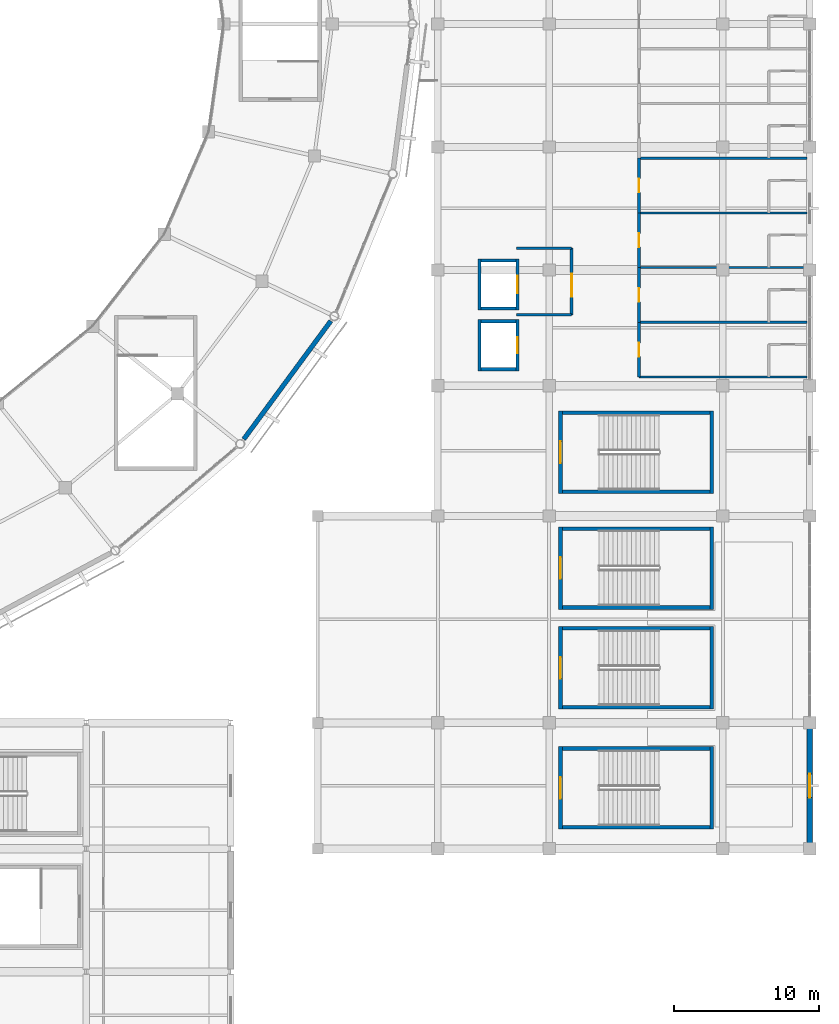
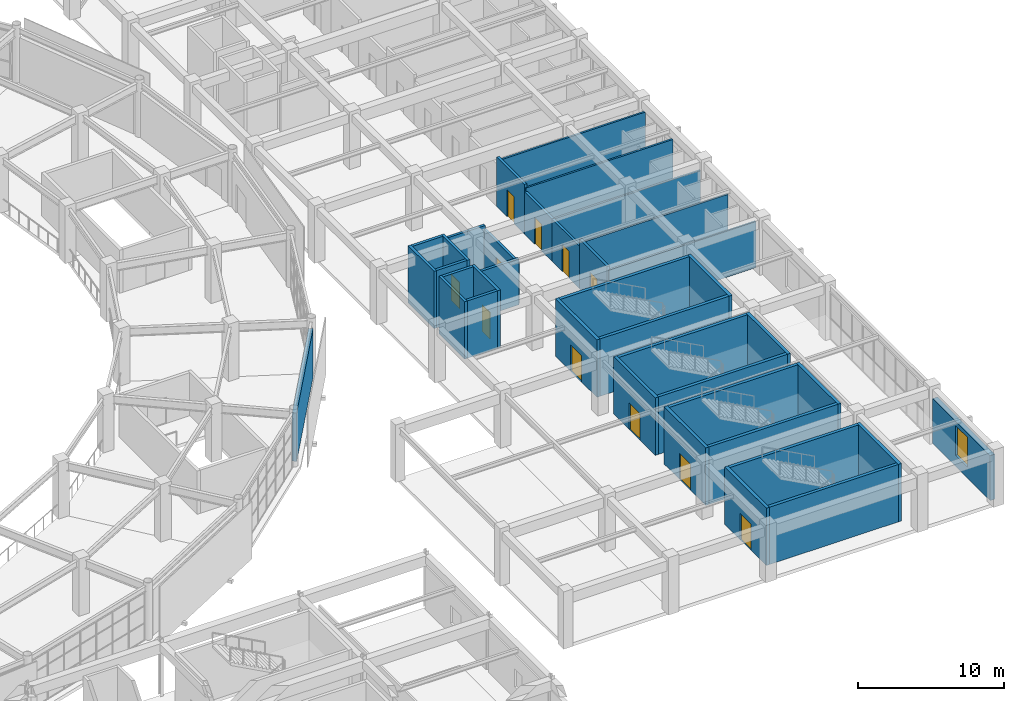
# One storey, part 87 of 112: 38 walls, 11 doors, 1 window, 12 openings.
"""IFC4 building model written with IfcOpenShell, lengths in metres."""

from ifc_helpers import new_model, si_unit, direction, frame, frame_2d, origin, place, context, subcontext, project, spatial, rectangle, extrude, material, layer, layer_set, type_object, element, fill, save


model = new_model("IFC4")

# Units and contexts
model_context = context("Model", 3, precision=1e-05, world=origin(), true_north=direction((0.0, 1.0)))
body_context = subcontext(model_context, "Body", "Model", "MODEL_VIEW")
ifc_project = project(units=[si_unit("LENGTHUNIT", "METRE"), si_unit("AREAUNIT", "SQUARE_METRE"), si_unit("VOLUMEUNIT", "CUBIC_METRE"), si_unit("PLANEANGLEUNIT", "RADIAN"), si_unit("MASSUNIT", "GRAM", prefix="KILO")], contexts=[model_context])

# Site, building, storey
site_placement = place(None, origin())
site = spatial("IfcSite", under=ifc_project, at=site_placement, CompositionType="ELEMENT")
building_placement = place(site_placement, origin())
building = spatial("IfcBuilding", under=site, at=building_placement, Name="Cuetzalor Civic Arena", CompositionType="ELEMENT")
storey_placement = place(building_placement, frame((0.0, 0.0, 11.39990234375)))
storey = spatial("IfcBuildingStorey", under=building, at=storey_placement, Name="L02", CompositionType="ELEMENT", Elevation=11.39990234375)

# Walls
ifc_material_1 = material(Name="Acoustic steel-stud gypsum partition", Category="steel")
ifc_layer_1 = layer(ifc_material_1, 0.14990234375)
ifc_layer_set_1 = layer_set([ifc_layer_1], Name="Acoustic steel-stud gypsum partition")
wall_type_1 = type_object("IfcWallType", Name="AcousticGypsumPartition_150", PredefinedType="PARTITIONING", material=ifc_layer_set_1)
for number, where, z_axis, x_axis, name in (
    (1, (70.199951171875, -24.39990234375, 0.0), (0.0, 0.0, 1.0), (1.0, 0.0, 0.0), "Interior Partition IWALL:L02:0316"),
    (2, (70.199951171875, -20.6201171875, 0.0), (0.0, 0.0, 1.0), (1.0, 0.0, 0.0), "Interior Partition IWALL:L02:0320"),
):
    element("IfcWall", number, at=place(storey_placement, frame(where, z_axis=z_axis, x_axis=x_axis)), inside=storey, type_object=wall_type_1, Name=name, PredefinedType="PARTITIONING", context=body_context, shape_type="SweptSolid", body=[
        extrude(rectangle(XDim=11.6201171875, YDim=0.14990234375, at=frame_2d((5.81005859375, 0.0))), origin(), (0.0, 0.0, 1.0), 3.84521484375),
    ])
wall_1_placement = place(storey_placement, frame((70.199951171875, -16.840087890625, 0.0), z_axis=(0.0, 0.0, 1.0), x_axis=(1.0, 0.0, 0.0)))
element("IfcWall", 3, at=wall_1_placement, inside=storey, type_object=wall_type_1, Name="Interior Partition IWALL:L02:0324", PredefinedType="PARTITIONING", context=body_context, shape_type="SweptSolid", body=[
    extrude(rectangle(XDim=11.6201171875, YDim=0.14990234375, at=frame_2d((5.81005859375, 0.0))), origin(), (0.0, 0.0, 1.0), 3.545166015625),
])
for number, where, z_axis, x_axis, name in (
    (4, (70.199951171875, -13.06005859375, 0.0), (0.0, 0.0, 1.0), (1.0, 0.0, 0.0), "Interior Partition IWALL:L02:0328"),
    (5, (70.199951171875, -9.280029296875, 0.0), (0.0, 0.0, 1.0), (1.0, 0.0, 0.0), "Interior Partition IWALL:L02:0332"),
):
    element("IfcWall", number, at=place(storey_placement, frame(where, z_axis=z_axis, x_axis=x_axis)), inside=storey, type_object=wall_type_1, Name=name, PredefinedType="PARTITIONING", context=body_context, shape_type="SweptSolid", body=[
        extrude(rectangle(XDim=11.6201171875, YDim=0.14990234375, at=frame_2d((5.81005859375, 0.0))), origin(), (0.0, 0.0, 1.0), 3.84521484375),
    ])

# Wall, opening, door
ifc_material_2 = material(Name="Concrete C40/50", Category="concrete")
ifc_layer_2 = layer(ifc_material_2, 0.25)
ifc_layer_set_2 = layer_set([ifc_layer_2], Name="Concrete C40/50")
wall_type_2 = type_object("IfcWallType", Name="ConcreteCoreShearWall_250", PredefinedType="SHEAR", material=ifc_layer_set_2)
wall_2_placement = place(storey_placement, frame((64.77490234375, -55.64990234375, 0.0), z_axis=(0.0, 0.0, 1.0), x_axis=(0.0, 1.0, 0.0)))
wall_2 = element("IfcWall", 6, at=wall_2_placement, inside=storey, type_object=wall_type_2, Name="Stair Core Shear Wall ST-18-L02-W", PredefinedType="SHEAR", context=body_context, shape_type="SweptSolid", body=[
    extrude(rectangle(XDim=5.699951171875, YDim=0.25, at=frame_2d((2.85009765625, 0.0))), origin(), (0.0, 0.0, 1.0), 4.800048828125),
])
opening_1_placement = place(wall_2_placement, frame((2.10009765625, 0.0, 0.0)))
opening_1 = element("IfcOpeningElement", 7, at=opening_1_placement, cuts=wall_2, Name="Opening FD-03", PredefinedType="OPENING", context=body_context, shape_type="SweptSolid", body=[
    extrude(rectangle(XDim=1.5, YDim=2.199951171875, at=frame_2d((0.75, 1.10009765625))), frame((0.0, 0.135009765625, 0.0), z_axis=(0.0, -1.0, 0.0), x_axis=(1.0, 0.0, 0.0)), (0.0, 0.0, 1.0), 0.27001953125),
])
ifc_material_3 = material(Name="Fire-rated steel stair exit double door", Category="steel")
door_type_1 = type_object("IfcDoorType", Name="StairFireDoubleDoor_1500x2200", OperationType="DOUBLE_DOOR_SINGLE_SWING", PredefinedType="DOOR", material=ifc_material_3)
door_1_placement = place(opening_1_placement, origin())
door_1 = element("IfcDoor", 8, at=door_1_placement, inside=storey, type_object=door_type_1, Name="Fire Stair Door ST-18 L02", OperationType="DOUBLE_DOOR_SINGLE_SWING", OverallHeight=2.199951171875, OverallWidth=1.5, PredefinedType="DOOR", context=body_context, shape_type="SweptSolid", body=[
    extrude(rectangle(XDim=1.5, YDim=2.199951171875, at=frame_2d((0.75, 1.10009765625))), frame((0.0, 0.02490234375, 0.0), z_axis=(0.0, -1.0, 0.0), x_axis=(1.0, 0.0, 0.0)), (0.0, 0.0, 1.0), 0.050048828125),
])
fill(opening_1, door_1)

# Walls
wall_3_placement = place(storey_placement, frame((64.89990234375, -50.074951171875, 0.0), z_axis=(0.0, 0.0, 1.0), x_axis=(1.0, 0.0, 0.0)))
element("IfcWall", 9, at=wall_3_placement, inside=storey, type_object=wall_type_2, Name="Stair Core Shear Wall ST-18-L02-N", PredefinedType="SHEAR", context=body_context, shape_type="SweptSolid", body=[
    extrude(rectangle(XDim=10.2001953125, YDim=0.25, at=frame_2d((5.10009765625, 0.0))), origin(), (0.0, 0.0, 1.0), 4.800048828125),
])
wall_4_placement = place(storey_placement, frame((75.22509765625, -49.949951171875, 0.0), z_axis=(0.0, 0.0, 1.0), x_axis=(0.0, -1.0, 0.0)))
element("IfcWall", 10, at=wall_4_placement, inside=storey, type_object=wall_type_2, Name="Stair Core Shear Wall ST-18-L02-E", PredefinedType="SHEAR", context=body_context, shape_type="SweptSolid", body=[
    extrude(rectangle(XDim=5.699951171875, YDim=0.25, at=frame_2d((2.85009765625, 0.0))), origin(), (0.0, 0.0, 1.0), 4.800048828125),
])
wall_5_placement = place(storey_placement, frame((75.10009765625, -55.52490234375, 0.0), z_axis=(0.0, 0.0, 1.0), x_axis=(-1.0, 0.0, 0.0)))
element("IfcWall", 11, at=wall_5_placement, inside=storey, type_object=wall_type_2, Name="Stair Core Shear Wall ST-18-L02-S", PredefinedType="SHEAR", context=body_context, shape_type="SweptSolid", body=[
    extrude(rectangle(XDim=10.2001953125, YDim=0.25, at=frame_2d((5.10009765625, 0.0))), origin(), (0.0, 0.0, 1.0), 4.800048828125),
])

# Wall, opening, door
wall_6_placement = place(storey_placement, frame((64.77490234375, -47.35009765625, 0.0), z_axis=(0.0, 0.0, 1.0), x_axis=(0.0, 1.0, 0.0)))
wall_6 = element("IfcWall", 12, at=wall_6_placement, inside=storey, type_object=wall_type_2, Name="Stair Core Shear Wall ST-19-L02-W", PredefinedType="SHEAR", context=body_context, shape_type="SweptSolid", body=[
    extrude(rectangle(XDim=5.7001953125, YDim=0.25, at=frame_2d((2.85009765625, 0.0))), origin(), (0.0, 0.0, 1.0), 4.800048828125),
])
opening_2_placement = place(wall_6_placement, frame((2.10009765625, 0.0, 0.0)))
opening_2 = element("IfcOpeningElement", 13, at=opening_2_placement, cuts=wall_6, Name="Opening FD-03", PredefinedType="OPENING", context=body_context, shape_type="SweptSolid", body=[
    extrude(rectangle(XDim=1.5, YDim=2.199951171875, at=frame_2d((0.75, 1.10009765625))), frame((0.0, 0.135009765625, 0.0), z_axis=(0.0, -1.0, 0.0), x_axis=(1.0, 0.0, 0.0)), (0.0, 0.0, 1.0), 0.27001953125),
])
door_2_placement = place(opening_2_placement, origin())
door_2 = element("IfcDoor", 14, at=door_2_placement, inside=storey, type_object=door_type_1, Name="Fire Stair Door ST-19 L02", OperationType="DOUBLE_DOOR_SINGLE_SWING", OverallHeight=2.199951171875, OverallWidth=1.5, PredefinedType="DOOR", context=body_context, shape_type="SweptSolid", body=[
    extrude(rectangle(XDim=1.5, YDim=2.199951171875, at=frame_2d((0.75, 1.10009765625))), frame((0.0, 0.02490234375, 0.0), z_axis=(0.0, -1.0, 0.0), x_axis=(1.0, 0.0, 0.0)), (0.0, 0.0, 1.0), 0.050048828125),
])
fill(opening_2, door_2)

# Walls
wall_7_placement = place(storey_placement, frame((64.89990234375, -41.77490234375, 0.0), z_axis=(0.0, 0.0, 1.0), x_axis=(1.0, 0.0, 0.0)))
element("IfcWall", 15, at=wall_7_placement, inside=storey, type_object=wall_type_2, Name="Stair Core Shear Wall ST-19-L02-N", PredefinedType="SHEAR", context=body_context, shape_type="SweptSolid", body=[
    extrude(rectangle(XDim=10.2001953125, YDim=0.25, at=frame_2d((5.10009765625, 0.0))), origin(), (0.0, 0.0, 1.0), 4.800048828125),
])
wall_8_placement = place(storey_placement, frame((75.22509765625, -41.64990234375, 0.0), z_axis=(0.0, 0.0, 1.0), x_axis=(0.0, -1.0, 0.0)))
element("IfcWall", 16, at=wall_8_placement, inside=storey, type_object=wall_type_2, Name="Stair Core Shear Wall ST-19-L02-E", PredefinedType="SHEAR", context=body_context, shape_type="SweptSolid", body=[
    extrude(rectangle(XDim=5.7001953125, YDim=0.25, at=frame_2d((2.85009765625, 0.0))), origin(), (0.0, 0.0, 1.0), 4.800048828125),
])
wall_9_placement = place(storey_placement, frame((75.10009765625, -47.22509765625, 0.0), z_axis=(0.0, 0.0, 1.0), x_axis=(-1.0, 0.0, 0.0)))
element("IfcWall", 17, at=wall_9_placement, inside=storey, type_object=wall_type_2, Name="Stair Core Shear Wall ST-19-L02-S", PredefinedType="SHEAR", context=body_context, shape_type="SweptSolid", body=[
    extrude(rectangle(XDim=10.2001953125, YDim=0.25, at=frame_2d((5.10009765625, 0.0))), origin(), (0.0, 0.0, 1.0), 4.800048828125),
])

# Wall, opening, door
wall_10_placement = place(storey_placement, frame((64.77490234375, -40.449951171875, 0.0), z_axis=(0.0, 0.0, 1.0), x_axis=(0.0, 1.0, 0.0)))
wall_10 = element("IfcWall", 18, at=wall_10_placement, inside=storey, type_object=wall_type_2, Name="Stair Core Shear Wall ST-20-L02-W", PredefinedType="SHEAR", context=body_context, shape_type="SweptSolid", body=[
    extrude(rectangle(XDim=5.699951171875, YDim=0.25, at=frame_2d((2.85009765625, 0.0))), origin(), (0.0, 0.0, 1.0), 4.800048828125),
])
opening_3_placement = place(wall_10_placement, frame((2.10009765625, 0.0, 0.0)))
opening_3 = element("IfcOpeningElement", 19, at=opening_3_placement, cuts=wall_10, Name="Opening FD-03", PredefinedType="OPENING", context=body_context, shape_type="SweptSolid", body=[
    extrude(rectangle(XDim=1.5, YDim=2.199951171875, at=frame_2d((0.75, 1.10009765625))), frame((0.0, 0.135009765625, 0.0), z_axis=(0.0, -1.0, 0.0), x_axis=(1.0, 0.0, 0.0)), (0.0, 0.0, 1.0), 0.27001953125),
])
door_3_placement = place(opening_3_placement, origin())
door_3 = element("IfcDoor", 20, at=door_3_placement, inside=storey, type_object=door_type_1, Name="Fire Stair Door ST-20 L02", OperationType="DOUBLE_DOOR_SINGLE_SWING", OverallHeight=2.199951171875, OverallWidth=1.5, PredefinedType="DOOR", context=body_context, shape_type="SweptSolid", body=[
    extrude(rectangle(XDim=1.5, YDim=2.199951171875, at=frame_2d((0.75, 1.10009765625))), frame((0.0, 0.02490234375, 0.0), z_axis=(0.0, -1.0, 0.0), x_axis=(1.0, 0.0, 0.0)), (0.0, 0.0, 1.0), 0.050048828125),
])
fill(opening_3, door_3)

# Walls
wall_11_placement = place(storey_placement, frame((64.89990234375, -34.875, 0.0), z_axis=(0.0, 0.0, 1.0), x_axis=(1.0, 0.0, 0.0)))
element("IfcWall", 21, at=wall_11_placement, inside=storey, type_object=wall_type_2, Name="Stair Core Shear Wall ST-20-L02-N", PredefinedType="SHEAR", context=body_context, shape_type="SweptSolid", body=[
    extrude(rectangle(XDim=10.2001953125, YDim=0.25, at=frame_2d((5.10009765625, 0.0))), origin(), (0.0, 0.0, 1.0), 4.800048828125),
])
wall_12_placement = place(storey_placement, frame((75.22509765625, -34.75, 0.0), z_axis=(0.0, 0.0, 1.0), x_axis=(0.0, -1.0, 0.0)))
element("IfcWall", 22, at=wall_12_placement, inside=storey, type_object=wall_type_2, Name="Stair Core Shear Wall ST-20-L02-E", PredefinedType="SHEAR", context=body_context, shape_type="SweptSolid", body=[
    extrude(rectangle(XDim=5.699951171875, YDim=0.25, at=frame_2d((2.85009765625, 0.0))), origin(), (0.0, 0.0, 1.0), 4.800048828125),
])
wall_13_placement = place(storey_placement, frame((75.10009765625, -40.324951171875, 0.0), z_axis=(0.0, 0.0, 1.0), x_axis=(-1.0, 0.0, 0.0)))
element("IfcWall", 23, at=wall_13_placement, inside=storey, type_object=wall_type_2, Name="Stair Core Shear Wall ST-20-L02-S", PredefinedType="SHEAR", context=body_context, shape_type="SweptSolid", body=[
    extrude(rectangle(XDim=10.2001953125, YDim=0.25, at=frame_2d((5.10009765625, 0.0))), origin(), (0.0, 0.0, 1.0), 4.800048828125),
])

# Wall, opening, door
wall_14_placement = place(storey_placement, frame((64.77490234375, -32.449951171875, 0.0), z_axis=(0.0, 0.0, 1.0), x_axis=(0.0, 1.0, 0.0)))
wall_14 = element("IfcWall", 24, at=wall_14_placement, inside=storey, type_object=wall_type_2, Name="Stair Core Shear Wall ST-21-L02-W", PredefinedType="SHEAR", context=body_context, shape_type="SweptSolid", body=[
    extrude(rectangle(XDim=5.699951171875, YDim=0.25, at=frame_2d((2.85009765625, 0.0))), origin(), (0.0, 0.0, 1.0), 4.800048828125),
])
opening_4_placement = place(wall_14_placement, frame((2.10009765625, 0.0, 0.0)))
opening_4 = element("IfcOpeningElement", 25, at=opening_4_placement, cuts=wall_14, Name="Opening FD-03", PredefinedType="OPENING", context=body_context, shape_type="SweptSolid", body=[
    extrude(rectangle(XDim=1.5, YDim=2.199951171875, at=frame_2d((0.75, 1.10009765625))), frame((0.0, 0.135009765625, 0.0), z_axis=(0.0, -1.0, 0.0), x_axis=(1.0, 0.0, 0.0)), (0.0, 0.0, 1.0), 0.27001953125),
])
door_4_placement = place(opening_4_placement, origin())
door_4 = element("IfcDoor", 26, at=door_4_placement, inside=storey, type_object=door_type_1, Name="Fire Stair Door ST-21 L02", OperationType="DOUBLE_DOOR_SINGLE_SWING", OverallHeight=2.199951171875, OverallWidth=1.5, PredefinedType="DOOR", context=body_context, shape_type="SweptSolid", body=[
    extrude(rectangle(XDim=1.5, YDim=2.199951171875, at=frame_2d((0.75, 1.10009765625))), frame((0.0, 0.02490234375, 0.0), z_axis=(0.0, -1.0, 0.0), x_axis=(1.0, 0.0, 0.0)), (0.0, 0.0, 1.0), 0.050048828125),
])
fill(opening_4, door_4)

# Walls
wall_15_placement = place(storey_placement, frame((64.89990234375, -26.875, 0.0), z_axis=(0.0, 0.0, 1.0), x_axis=(1.0, 0.0, 0.0)))
element("IfcWall", 27, at=wall_15_placement, inside=storey, type_object=wall_type_2, Name="Stair Core Shear Wall ST-21-L02-N", PredefinedType="SHEAR", context=body_context, shape_type="SweptSolid", body=[
    extrude(rectangle(XDim=10.2001953125, YDim=0.25, at=frame_2d((5.10009765625, 0.0))), origin(), (0.0, 0.0, 1.0), 4.800048828125),
])
wall_16_placement = place(storey_placement, frame((75.22509765625, -26.75, 0.0), z_axis=(0.0, 0.0, 1.0), x_axis=(0.0, -1.0, 0.0)))
element("IfcWall", 28, at=wall_16_placement, inside=storey, type_object=wall_type_2, Name="Stair Core Shear Wall ST-21-L02-E", PredefinedType="SHEAR", context=body_context, shape_type="SweptSolid", body=[
    extrude(rectangle(XDim=5.699951171875, YDim=0.25, at=frame_2d((2.85009765625, 0.0))), origin(), (0.0, 0.0, 1.0), 4.800048828125),
])
wall_17_placement = place(storey_placement, frame((75.10009765625, -32.324951171875, 0.0), z_axis=(0.0, 0.0, 1.0), x_axis=(-1.0, 0.0, 0.0)))
element("IfcWall", 29, at=wall_17_placement, inside=storey, type_object=wall_type_2, Name="Stair Core Shear Wall ST-21-L02-S", PredefinedType="SHEAR", context=body_context, shape_type="SweptSolid", body=[
    extrude(rectangle(XDim=10.2001953125, YDim=0.25, at=frame_2d((5.10009765625, 0.0))), origin(), (0.0, 0.0, 1.0), 4.800048828125),
])

# Wall, opening, door
ifc_material_4 = material(Name="Fire-rated masonry and gypsum partition", Category="masonry")
ifc_layer_3 = layer(ifc_material_4, 0.199951171875)
ifc_layer_set_3 = layer_set([ifc_layer_3], Name="Fire-rated masonry and gypsum partition")
wall_type_3 = type_object("IfcWallType", Name="FireCompartmentWall_200", PredefinedType="PARTITIONING", material=ifc_layer_set_3)
wall_18_placement = place(storey_placement, frame((65.550048828125, -15.5, 0.0), z_axis=(0.0, 0.0, 1.0), x_axis=(0.0, -1.0, 0.0)))
wall_18 = element("IfcWall", 30, at=wall_18_placement, inside=storey, type_object=wall_type_3, Name="Interior Partition IWALL:L02:0043", PredefinedType="PARTITIONING", context=body_context, shape_type="SweptSolid", body=[
    extrude(rectangle(XDim=4.60009765625, YDim=0.199951171875, at=frame_2d((2.300048828125, 0.0))), origin(), (0.0, 0.0, 1.0), 3.545166015625),
])
opening_5_placement = place(wall_18_placement, frame((1.75, 0.0, 0.0)))
opening_5 = element("IfcOpeningElement", 31, at=opening_5_placement, cuts=wall_18, Name="Opening FD-05", PredefinedType="OPENING", context=body_context, shape_type="SweptSolid", body=[
    extrude(rectangle(XDim=1.60009765625, YDim=2.199951171875, at=frame_2d((0.800048828125, 1.10009765625))), frame((0.0, 0.10986328125, 0.0), z_axis=(0.0, -1.0, 0.0), x_axis=(1.0, 0.0, 0.0)), (0.0, 0.0, 1.0), 0.219970703125),
])
ifc_material_5 = material(Name="Fire-rated smoke-seal lobby double door", Category="steel")
door_type_2 = type_object("IfcDoorType", Name="FireLobbyDoubleDoor_1600x2200", OperationType="DOUBLE_DOOR_SINGLE_SWING", PredefinedType="DOOR", material=ifc_material_5)
door_5_placement = place(opening_5_placement, origin())
door_5 = element("IfcDoor", 32, at=door_5_placement, inside=storey, type_object=door_type_2, Name="Door to Firefighting Lift Lobby LF-03 L02", OperationType="DOUBLE_DOOR_SINGLE_SWING", OverallHeight=2.199951171875, OverallWidth=1.60009765625, PredefinedType="DOOR", context=body_context, shape_type="SweptSolid", body=[
    extrude(rectangle(XDim=1.60009765625, YDim=2.199951171875, at=frame_2d((0.800048828125, 1.10009765625))), frame((0.0, 0.02490234375, 0.0), z_axis=(0.0, -1.0, 0.0), x_axis=(1.0, 0.0, 0.0)), (0.0, 0.0, 1.0), 0.050048828125),
])
fill(opening_5, door_5)

# Walls
for number, where, z_axis, x_axis, name in (
    (33, (61.75, -15.5, 0.0), (0.0, 0.0, 1.0), (1.0, 0.0, 0.0), "Interior Partition IWALL:L02:0044"),
    (34, (65.550048828125, -20.10009765625, 0.0), (0.0, 0.0, 1.0), (-1.0, 0.0, 0.0), "Interior Partition IWALL:L02:0045"),
):
    element("IfcWall", number, at=place(storey_placement, frame(where, z_axis=z_axis, x_axis=x_axis)), inside=storey, type_object=wall_type_3, Name=name, PredefinedType="PARTITIONING", context=body_context, shape_type="SweptSolid", body=[
        extrude(rectangle(XDim=3.800048828125, YDim=0.199951171875, at=frame_2d((1.89990234375, 0.0))), origin(), (0.0, 0.0, 1.0), 3.84521484375),
    ])

# Wall, opening, door
wall_19_placement = place(storey_placement, frame((70.199951171875, -24.39990234375, 0.0), z_axis=(0.0, 0.0, 1.0), x_axis=(0.0, 1.0, 0.0)))
wall_19 = element("IfcWall", 35, at=wall_19_placement, inside=storey, type_object=wall_type_3, Name="Interior Partition IWALL:L02:0319", PredefinedType="PARTITIONING", context=body_context, shape_type="SweptSolid", body=[
    extrude(rectangle(XDim=3.77978515625, YDim=0.199951171875, at=frame_2d((1.889892578125, 0.0))), origin(), (0.0, 0.0, 1.0), 4.14013671875),
])
opening_6_placement = place(wall_19_placement, frame((1.4150390625, 0.0, 0.0)))
opening_6 = element("IfcOpeningElement", 36, at=opening_6_placement, cuts=wall_19, Name="Opening ID-05", PredefinedType="OPENING", context=body_context, shape_type="SweptSolid", body=[
    extrude(rectangle(XDim=0.949951171875, YDim=2.25, at=frame_2d((0.47509765625, 1.125))), frame((0.0, 0.10986328125, 0.0), z_axis=(0.0, -1.0, 0.0), x_axis=(1.0, 0.0, 0.0)), (0.0, 0.0, 1.0), 0.219970703125),
])
ifc_material_6 = material(Name="Bronze-clad fire-rated acoustic timber door", Category="wood")
door_type_3 = type_object("IfcDoorType", Name="SuiteEntryDoor_950x2150", OperationType="NOTDEFINED", PredefinedType="DOOR", material=ifc_material_6)
door_6_placement = place(opening_6_placement, origin())
door_6 = element("IfcDoor", 37, at=door_6_placement, inside=storey, type_object=door_type_3, Name="Door to Private Viewing Suite 212", OperationType="SINGLE_SWING_RIGHT", OverallHeight=2.25, OverallWidth=0.949951171875, PredefinedType="DOOR", context=body_context, shape_type="SweptSolid", body=[
    extrude(rectangle(XDim=0.949951171875, YDim=2.25, at=frame_2d((0.47509765625, 1.125))), frame((0.0, 0.02490234375, 0.0), z_axis=(0.0, -1.0, 0.0), x_axis=(1.0, 0.0, 0.0)), (0.0, 0.0, 1.0), 0.050048828125),
])
fill(opening_6, door_6)

wall_20_placement = place(storey_placement, frame((70.199951171875, -20.6201171875, 0.0), z_axis=(0.0, 0.0, 1.0), x_axis=(0.0, 1.0, 0.0)))
wall_20 = element("IfcWall", 38, at=wall_20_placement, inside=storey, type_object=wall_type_3, Name="Interior Partition IWALL:L02:0323", PredefinedType="PARTITIONING", context=body_context, shape_type="SweptSolid", body=[
    extrude(rectangle(XDim=3.780029296875, YDim=0.199951171875, at=frame_2d((1.89013671875, 0.0))), origin(), (0.0, 0.0, 1.0), 3.545166015625),
])
opening_7_placement = place(wall_20_placement, frame((1.4150390625, 0.0, 0.0)))
opening_7 = element("IfcOpeningElement", 39, at=opening_7_placement, cuts=wall_20, Name="Opening ID-05", PredefinedType="OPENING", context=body_context, shape_type="SweptSolid", body=[
    extrude(rectangle(XDim=0.949951171875, YDim=2.25, at=frame_2d((0.47509765625, 1.125))), frame((0.0, 0.10986328125, 0.0), z_axis=(0.0, -1.0, 0.0), x_axis=(1.0, 0.0, 0.0)), (0.0, 0.0, 1.0), 0.219970703125),
])
door_7_placement = place(opening_7_placement, origin())
door_7 = element("IfcDoor", 40, at=door_7_placement, inside=storey, type_object=door_type_3, Name="Door to Private Viewing Suite 213", OperationType="SINGLE_SWING_RIGHT", OverallHeight=2.25, OverallWidth=0.949951171875, PredefinedType="DOOR", context=body_context, shape_type="SweptSolid", body=[
    extrude(rectangle(XDim=0.949951171875, YDim=2.25, at=frame_2d((0.47509765625, 1.125))), frame((0.0, 0.02490234375, 0.0), z_axis=(0.0, -1.0, 0.0), x_axis=(1.0, 0.0, 0.0)), (0.0, 0.0, 1.0), 0.050048828125),
])
fill(opening_7, door_7)

wall_21_placement = place(storey_placement, frame((70.199951171875, -16.840087890625, 0.0), z_axis=(0.0, 0.0, 1.0), x_axis=(0.0, 1.0, 0.0)))
wall_21 = element("IfcWall", 41, at=wall_21_placement, inside=storey, type_object=wall_type_3, Name="Interior Partition IWALL:L02:0327", PredefinedType="PARTITIONING", context=body_context, shape_type="SweptSolid", body=[
    extrude(rectangle(XDim=3.780029296875, YDim=0.199951171875, at=frame_2d((1.89013671875, 0.0))), origin(), (0.0, 0.0, 1.0), 3.545166015625),
])
opening_8_placement = place(wall_21_placement, frame((1.4150390625, 0.0, 0.0)))
opening_8 = element("IfcOpeningElement", 42, at=opening_8_placement, cuts=wall_21, Name="Opening ID-05", PredefinedType="OPENING", context=body_context, shape_type="SweptSolid", body=[
    extrude(rectangle(XDim=0.949951171875, YDim=2.25, at=frame_2d((0.47509765625, 1.125))), frame((0.0, 0.10986328125, 0.0), z_axis=(0.0, -1.0, 0.0), x_axis=(1.0, 0.0, 0.0)), (0.0, 0.0, 1.0), 0.219970703125),
])
door_8_placement = place(opening_8_placement, origin())
door_8 = element("IfcDoor", 43, at=door_8_placement, inside=storey, type_object=door_type_3, Name="Door to Private Viewing Suite 214", OperationType="SINGLE_SWING_RIGHT", OverallHeight=2.25, OverallWidth=0.949951171875, PredefinedType="DOOR", context=body_context, shape_type="SweptSolid", body=[
    extrude(rectangle(XDim=0.949951171875, YDim=2.25, at=frame_2d((0.47509765625, 1.125))), frame((0.0, 0.02490234375, 0.0), z_axis=(0.0, -1.0, 0.0), x_axis=(1.0, 0.0, 0.0)), (0.0, 0.0, 1.0), 0.050048828125),
])
fill(opening_8, door_8)

wall_22_placement = place(storey_placement, frame((70.199951171875, -13.06005859375, 0.0), z_axis=(0.0, 0.0, 1.0), x_axis=(0.0, 1.0, 0.0)))
wall_22 = element("IfcWall", 44, at=wall_22_placement, inside=storey, type_object=wall_type_3, Name="Interior Partition IWALL:L02:0331", PredefinedType="PARTITIONING", context=body_context, shape_type="SweptSolid", body=[
    extrude(rectangle(XDim=3.780029296875, YDim=0.199951171875, at=frame_2d((1.89013671875, 0.0))), origin(), (0.0, 0.0, 1.0), 4.14013671875),
])
opening_9_placement = place(wall_22_placement, frame((1.4150390625, 0.0, 0.0)))
opening_9 = element("IfcOpeningElement", 45, at=opening_9_placement, cuts=wall_22, Name="Opening ID-05", PredefinedType="OPENING", context=body_context, shape_type="SweptSolid", body=[
    extrude(rectangle(XDim=0.949951171875, YDim=2.25, at=frame_2d((0.47509765625, 1.125))), frame((0.0, 0.10986328125, 0.0), z_axis=(0.0, -1.0, 0.0), x_axis=(1.0, 0.0, 0.0)), (0.0, 0.0, 1.0), 0.219970703125),
])
door_9_placement = place(opening_9_placement, origin())
door_9 = element("IfcDoor", 46, at=door_9_placement, inside=storey, type_object=door_type_3, Name="Door to Private Viewing Suite 215", OperationType="SINGLE_SWING_RIGHT", OverallHeight=2.25, OverallWidth=0.949951171875, PredefinedType="DOOR", context=body_context, shape_type="SweptSolid", body=[
    extrude(rectangle(XDim=0.949951171875, YDim=2.25, at=frame_2d((0.47509765625, 1.125))), frame((0.0, 0.02490234375, 0.0), z_axis=(0.0, -1.0, 0.0), x_axis=(1.0, 0.0, 0.0)), (0.0, 0.0, 1.0), 0.050048828125),
])
fill(opening_9, door_9)

# Walls
ifc_material_7 = material(Name="Precast concrete C40/50 insulated cladding", Category="concrete")
ifc_layer_4 = layer(ifc_material_7, 0.320068359375)
ifc_layer_set_4 = layer_set([ifc_layer_4], Name="Precast concrete C40/50 insulated cladding")
wall_type_4 = type_object("IfcWallType", Name="InsulatedPrecastWall_320", PredefinedType="SOLIDWALL", material=ifc_layer_set_4)
wall_23_placement = place(storey_placement, frame((48.90576171875, -20.526123046875, 0.0), z_axis=(0.0, 0.0, 1.0), x_axis=(-0.592929724135, -0.805254209698, 0.0)))
element("IfcWall", 47, at=wall_23_placement, inside=storey, type_object=wall_type_4, Name="Drum Acoustic Backing Wall L02-039", PredefinedType="SOLIDWALL", context=body_context, shape_type="SweptSolid", body=[
    extrude(rectangle(XDim=10.14404296875, YDim=0.320068359375, at=frame_2d((5.072021484375, 0.0))), origin(), (0.0, 0.0, 1.0), 4.052978515625),
])
ifc_material_8 = material(Name="Concrete C40/50", Category="concrete")
ifc_layer_5 = layer(ifc_material_8, 0.219970703125)
ifc_layer_set_5 = layer_set([ifc_layer_5], Name="Concrete C40/50")
wall_type_5 = type_object("IfcWallType", Name="LiftShaftShearWall_220", PredefinedType="SHEAR", material=ifc_layer_set_5)
wall_24_placement = place(storey_placement, frame((59.18994140625, -19.77001953125, 0.0), z_axis=(0.0, 0.0, 1.0), x_axis=(0.0, 1.0, 0.0)))
element("IfcWall", 48, at=wall_24_placement, inside=storey, type_object=wall_type_5, Name="Lift Shaft Wall LF-03-L02-W", PredefinedType="SHEAR", context=body_context, shape_type="SweptSolid", body=[
    extrude(rectangle(XDim=3.5400390625, YDim=0.219970703125, at=frame_2d((1.77001953125, 0.0))), origin(), (0.0, 0.0, 1.0), 4.800048828125),
])
wall_25_placement = place(storey_placement, frame((59.300048828125, -16.340087890625, 0.0), z_axis=(0.0, 0.0, 1.0), x_axis=(1.0, 0.0, 0.0)))
element("IfcWall", 49, at=wall_25_placement, inside=storey, type_object=wall_type_5, Name="Lift Shaft Wall LF-03-L02-N", PredefinedType="SHEAR", context=body_context, shape_type="SweptSolid", body=[
    extrude(rectangle(XDim=2.39990234375, YDim=0.219970703125, at=frame_2d((1.199951171875, 0.0))), origin(), (0.0, 0.0, 1.0), 4.800048828125),
])

# Wall, opening, door
wall_26_placement = place(storey_placement, frame((61.81005859375, -16.22998046875, 0.0), z_axis=(0.0, 0.0, 1.0), x_axis=(0.0, -1.0, 0.0)))
wall_26 = element("IfcWall", 50, at=wall_26_placement, inside=storey, type_object=wall_type_5, Name="Lift Shaft Wall LF-03-L02-E", PredefinedType="SHEAR", context=body_context, shape_type="SweptSolid", body=[
    extrude(rectangle(XDim=3.5400390625, YDim=0.219970703125, at=frame_2d((1.77001953125, 0.0))), origin(), (0.0, 0.0, 1.0), 4.800048828125),
])
opening_10_placement = place(wall_26_placement, frame((1.169921875, 0.0, 0.0)))
opening_10 = element("IfcOpeningElement", 51, at=opening_10_placement, cuts=wall_26, Name="Opening LD-02", PredefinedType="OPENING", context=body_context, shape_type="SweptSolid", body=[
    extrude(rectangle(XDim=1.199951171875, YDim=2.199951171875, at=frame_2d((0.60009765625, 1.10009765625))), frame((0.0, 0.1201171875, 0.0), z_axis=(0.0, -1.0, 0.0), x_axis=(1.0, 0.0, 0.0)), (0.0, 0.0, 1.0), 0.239990234375),
])
ifc_material_9 = material(Name="Fire-rated stainless steel sliding lift landing door", Category="steel")
door_type_4 = type_object("IfcDoorType", Name="LiftLandingSlidingDoor_1200x2200", OperationType="SLIDING_TO_LEFT", PredefinedType="DOOR", material=ifc_material_9)
door_10_placement = place(opening_10_placement, origin())
door_10 = element("IfcDoor", 52, at=door_10_placement, inside=storey, type_object=door_type_4, Name="Lift Landing Sliding Door LF-03 L02", OperationType="SLIDING_TO_LEFT", OverallHeight=2.199951171875, OverallWidth=1.199951171875, PredefinedType="DOOR", context=body_context, shape_type="SweptSolid", body=[
    extrude(rectangle(XDim=1.199951171875, YDim=2.199951171875, at=frame_2d((0.60009765625, 1.10009765625))), frame((0.0, 0.02490234375, 0.0), z_axis=(0.0, -1.0, 0.0), x_axis=(1.0, 0.0, 0.0)), (0.0, 0.0, 1.0), 0.050048828125),
])
fill(opening_10, door_10)

# Walls
wall_27_placement = place(storey_placement, frame((61.699951171875, -19.659912109375, 0.0), z_axis=(0.0, 0.0, 1.0), x_axis=(-1.0, 0.0, 0.0)))
element("IfcWall", 53, at=wall_27_placement, inside=storey, type_object=wall_type_5, Name="Lift Shaft Wall LF-03-L02-S", PredefinedType="SHEAR", context=body_context, shape_type="SweptSolid", body=[
    extrude(rectangle(XDim=2.39990234375, YDim=0.219970703125, at=frame_2d((1.199951171875, 0.0))), origin(), (0.0, 0.0, 1.0), 4.800048828125),
])
wall_28_placement = place(storey_placement, frame((59.18994140625, -23.969970703125, 0.0), z_axis=(0.0, 0.0, 1.0), x_axis=(0.0, 1.0, 0.0)))
element("IfcWall", 54, at=wall_28_placement, inside=storey, type_object=wall_type_5, Name="Lift Shaft Wall LP-05-L02-W", PredefinedType="SHEAR", context=body_context, shape_type="SweptSolid", body=[
    extrude(rectangle(XDim=3.5400390625, YDim=0.219970703125, at=frame_2d((1.77001953125, 0.0))), origin(), (0.0, 0.0, 1.0), 4.800048828125),
])
wall_29_placement = place(storey_placement, frame((59.300048828125, -20.5400390625, 0.0), z_axis=(0.0, 0.0, 1.0), x_axis=(1.0, 0.0, 0.0)))
element("IfcWall", 55, at=wall_29_placement, inside=storey, type_object=wall_type_5, Name="Lift Shaft Wall LP-05-L02-N", PredefinedType="SHEAR", context=body_context, shape_type="SweptSolid", body=[
    extrude(rectangle(XDim=2.39990234375, YDim=0.219970703125, at=frame_2d((1.199951171875, 0.0))), origin(), (0.0, 0.0, 1.0), 4.800048828125),
])

# Wall, opening, door
wall_30_placement = place(storey_placement, frame((61.81005859375, -20.429931640625, 0.0), z_axis=(0.0, 0.0, 1.0), x_axis=(0.0, -1.0, 0.0)))
wall_30 = element("IfcWall", 56, at=wall_30_placement, inside=storey, type_object=wall_type_5, Name="Lift Shaft Wall LP-05-L02-E", PredefinedType="SHEAR", context=body_context, shape_type="SweptSolid", body=[
    extrude(rectangle(XDim=3.5400390625, YDim=0.219970703125, at=frame_2d((1.77001953125, 0.0))), origin(), (0.0, 0.0, 1.0), 4.800048828125),
])
opening_11_placement = place(wall_30_placement, frame((1.219970703125, 0.0, 0.0)))
opening_11 = element("IfcOpeningElement", 57, at=opening_11_placement, cuts=wall_30, Name="Opening LD-01", PredefinedType="OPENING", context=body_context, shape_type="SweptSolid", body=[
    extrude(rectangle(XDim=1.10009765625, YDim=2.199951171875, at=frame_2d((0.550048828125, 1.10009765625))), frame((0.0, 0.1201171875, 0.0), z_axis=(0.0, -1.0, 0.0), x_axis=(1.0, 0.0, 0.0)), (0.0, 0.0, 1.0), 0.239990234375),
])
ifc_material_10 = material(Name="Brushed stainless steel sliding lift landing door", Category="steel")
door_type_5 = type_object("IfcDoorType", Name="LiftLandingSlidingDoor_1100x2200", OperationType="SLIDING_TO_LEFT", PredefinedType="DOOR", material=ifc_material_10)
door_11_placement = place(opening_11_placement, origin())
door_11 = element("IfcDoor", 58, at=door_11_placement, inside=storey, type_object=door_type_5, Name="Lift Landing Sliding Door LP-05 L02", OperationType="SLIDING_TO_LEFT", OverallHeight=2.199951171875, OverallWidth=1.10009765625, PredefinedType="DOOR", context=body_context, shape_type="SweptSolid", body=[
    extrude(rectangle(XDim=1.10009765625, YDim=2.199951171875, at=frame_2d((0.550048828125, 1.10009765625))), frame((0.0, 0.02490234375, 0.0), z_axis=(0.0, -1.0, 0.0), x_axis=(1.0, 0.0, 0.0)), (0.0, 0.0, 1.0), 0.050048828125),
])
fill(opening_11, door_11)

# Wall
wall_31_placement = place(storey_placement, frame((61.699951171875, -23.860107421875, 0.0), z_axis=(0.0, 0.0, 1.0), x_axis=(-1.0, 0.0, 0.0)))
element("IfcWall", 59, at=wall_31_placement, inside=storey, type_object=wall_type_5, Name="Lift Shaft Wall LP-05-L02-S", PredefinedType="SHEAR", context=body_context, shape_type="SweptSolid", body=[
    extrude(rectangle(XDim=2.39990234375, YDim=0.219970703125, at=frame_2d((1.199951171875, 0.0))), origin(), (0.0, 0.0, 1.0), 4.800048828125),
])

# Wall, opening, window
ifc_material_11 = material(Name="Polychrome Talavera ceramic on Concrete C35/45", Category="concrete")
ifc_layer_6 = layer(ifc_material_11, 0.3798828125)
ifc_layer_set_6 = layer_set([ifc_layer_6], Name="Polychrome Talavera ceramic on Concrete C35/45")
wall_type_6 = type_object("IfcWallType", Name="TalaveraSpandrelWall_380", PredefinedType="SOLIDWALL", material=ifc_layer_set_6)
wall_32_placement = place(storey_placement, frame((82.0, -48.70703125, 0.0), z_axis=(0.0, 0.0, 1.0), x_axis=(0.0, -1.0, 0.0)))
wall_32 = element("IfcWall", 60, at=wall_32_placement, inside=storey, type_object=wall_type_6, Name="V4E Outer Talavera Wall L02-164", PredefinedType="SOLIDWALL", context=body_context, shape_type="SweptSolid", body=[
    extrude(rectangle(XDim=7.885986328125, YDim=0.3798828125, at=frame_2d((3.94287109375, 0.0))), origin(), (0.0, 0.0, 1.0), 3.760009765625),
])
opening_12_placement = place(wall_32_placement, frame((3.117919921875, 0.0, 0.89990234375)))
opening_12 = element("IfcOpeningElement", 61, at=opening_12_placement, cuts=wall_32, Name="Opening WN-49", PredefinedType="OPENING", context=body_context, shape_type="SweptSolid", body=[
    extrude(rectangle(XDim=1.64990234375, YDim=2.5, at=frame_2d((0.824951171875, 1.25))), frame((0.0, 0.199951171875, 0.0), z_axis=(0.0, -1.0, 0.0), x_axis=(1.0, 0.0, 0.0)), (0.0, 0.0, 1.0), 0.39990234375),
])
ifc_material_12 = material(Name="Anodised bronze aluminium and low-E solar glass", Category="aluminium")
window_type = type_object("IfcWindowType", Name="BronzeThermalWindow_1650x2500", PartitioningType="SINGLE_PANEL", PredefinedType="WINDOW", material=ifc_material_12)
window_placement = place(opening_12_placement, origin())
window = element("IfcWindow", 62, at=window_placement, inside=storey, type_object=window_type, Name="V4E Facade Window L02-0049", OverallHeight=2.5, OverallWidth=1.64990234375, PartitioningType="SINGLE_PANEL", PredefinedType="WINDOW", context=body_context, shape_type="SweptSolid", body=[
    extrude(rectangle(XDim=1.64990234375, YDim=2.5, at=frame_2d((0.824951171875, 1.25))), frame((0.0, 0.030029296875, 0.0), z_axis=(0.0, -1.0, 0.0), x_axis=(1.0, 0.0, 0.0)), (0.0, 0.0, 1.0), 0.06005859375),
])
fill(opening_12, window)

save(model, "model.ifc")
